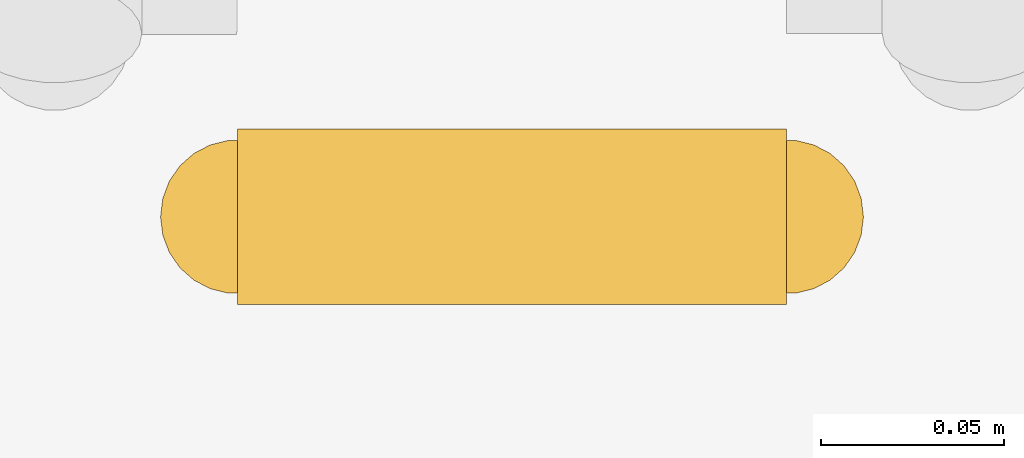
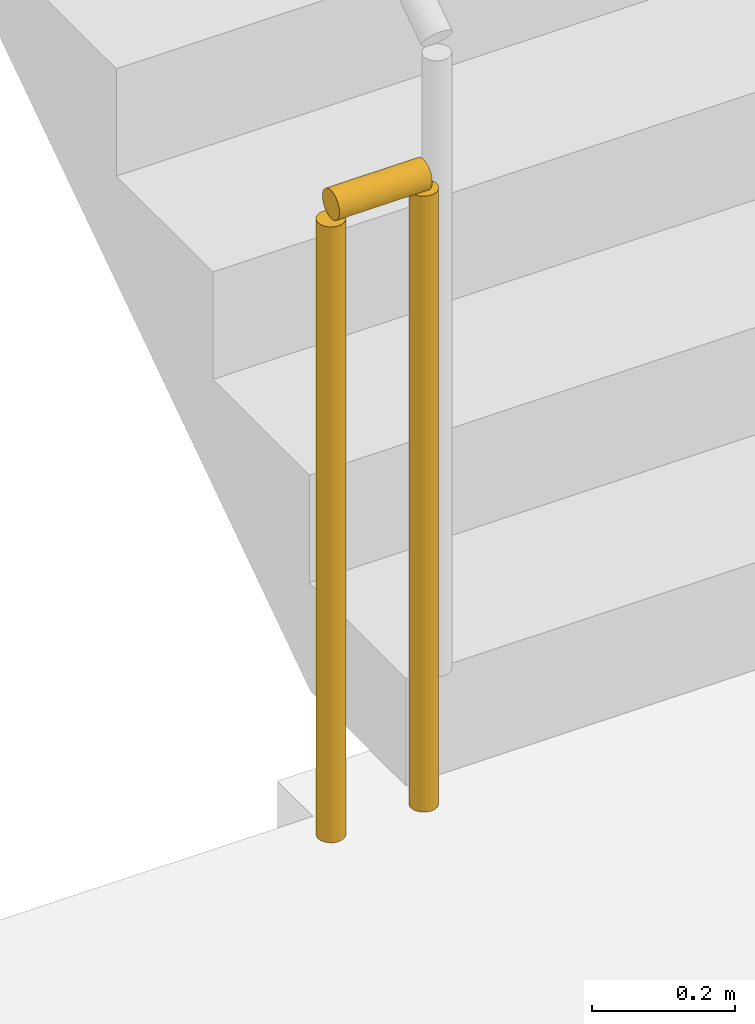
# One storey, part 19 of 25: 1 railing.
"""IFC4 building model written with IfcOpenShell, lengths in metres."""

from ifc_helpers import new_model, si_unit, direction, frame, origin, origin_2d, place, context, subcontext, project, spatial, circle, extrude, material, type_object, element, save


model = new_model("IFC4")

# Units and contexts
model_context = context("Model", 3, precision=1e-05, world=origin(), true_north=direction((0.0, 1.0)))
body_context = subcontext(model_context, "Body", "Model", "MODEL_VIEW")
ifc_project = project(units=[si_unit("LENGTHUNIT", "METRE"), si_unit("AREAUNIT", "SQUARE_METRE"), si_unit("VOLUMEUNIT", "CUBIC_METRE"), si_unit("PLANEANGLEUNIT", "RADIAN"), si_unit("MASSUNIT", "GRAM", prefix="KILO")], contexts=[model_context])

# Site, building, storey
site_placement = place(None, origin())
site = spatial("IfcSite", under=ifc_project, at=site_placement, CompositionType="ELEMENT")
building_placement = place(site_placement, origin())
building = spatial("IfcBuilding", under=site, at=building_placement, Name="Saffron Iwan Residences", CompositionType="ELEMENT")
storey_placement = place(building_placement, frame((0.0, 0.0, 137.5)))
storey = spatial("IfcBuildingStorey", under=building, at=storey_placement, Name="L36", CompositionType="ELEMENT", Elevation=137.5)

# Railing
ifc_material = material(Name="Steel S355", Category="steel")
railing_type = type_object("IfcRailingType", Name="Stair guard 1100", PredefinedType="GUARDRAIL", material=ifc_material)
railing_placement = place(storey_placement, frame((31.25, 67.800048828125, 0.0)))
element("IfcRailing", 1, at=railing_placement, inside=storey, type_object=railing_type, Name="L36 ST-W stair guard 2", PredefinedType="GUARDRAIL", context=body_context, shape_type="SweptSolid", body=[
    extrude(circle(Radius=0.02392578125, at=origin_2d()), frame((0.0, 0.0, 1.076171875), z_axis=(-1.0, 0.0, 0.0), x_axis=(0.0, -1.0, 0.0)), (0.0, 0.0, 1.0), 0.14990234375),
    extrude(circle(Radius=0.02099609375, at=origin_2d()), origin(), (0.0, 0.0, 1.0), 1.052001953125),
    extrude(circle(Radius=0.02099609375, at=origin_2d()), frame((-0.14990234375, 0.0, 0.0)), (0.0, 0.0, 1.0), 1.052001953125),
])

save(model, "model.ifc")
